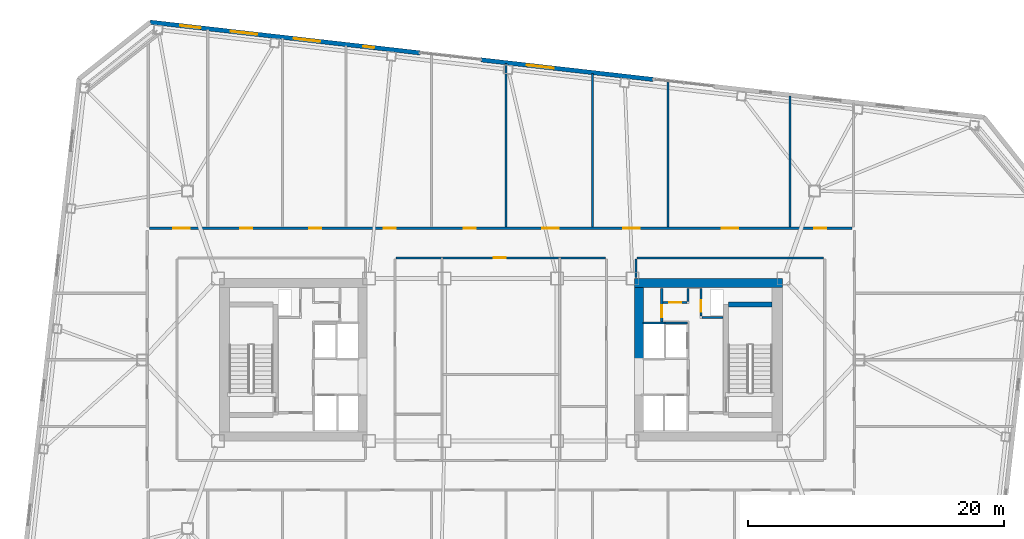
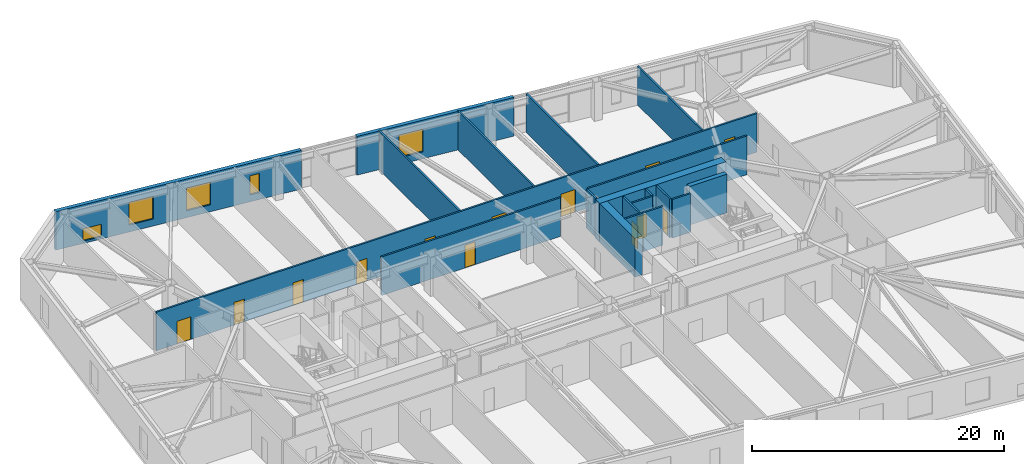
# One storey, part 14 of 21: 20 walls, 13 doors, 5 windows, 18 openings.
"""IFC4 building model written with IfcOpenShell, lengths in metres."""

import ifcopenshell
import ifcopenshell.guid

model = None  # the IFC model being written
_history = None  # IfcOwnerHistory: only IFC2X3 demands one
_inside = {}  # id of a spatial element -> (the spatial element, [elements in it])
_under = {}  # id of a project, library or spatial element -> (it, [spatial elements below it])
_declared = {}  # id of a project -> (the project, [libraries it declares])
_typed = {}  # id of a type object -> (the type object, [elements of that type])
_made_of = {}  # id of a material, layer set ... -> (it, [elements and type objects made of it])


def new_model(schema):
    """Start an empty IFC model of exactly this schema.

    Asked for "IFC4X3", IfcOpenShell would pick the latest addendum, in which some entities
    have other attributes; the version numbers below select the first issue.
    IFC2X3 requires an IfcOwnerHistory on every rooted entity: one is made here for all.
    """
    global model, _history
    if schema == "IFC4X3":
        model = ifcopenshell.file(schema_version=(4, 3, 0, 0))
    else:
        model = ifcopenshell.file(schema=schema)
    _inside.clear()
    _under.clear()
    _declared.clear()
    _typed.clear()
    _made_of.clear()
    _history = None
    if model.schema == "IFC2X3":
        org = make("IfcOrganization", Name="unknown")
        user = make(
            "IfcPersonAndOrganization",
            ThePerson=make("IfcPerson", FamilyName="unknown"),
            TheOrganization=org,
        )
        app = make(
            "IfcApplication",
            ApplicationDeveloper=org,
            Version="unknown",
            ApplicationFullName="unknown",
            ApplicationIdentifier="unknown",
        )
        _history = make(
            "IfcOwnerHistory",
            OwningUser=user,
            OwningApplication=app,
            ChangeAction="ADDED",
            CreationDate=0,
        )
    return model


def make(cls, **values):
    """One entity of the class cls with the attributes given. An attribute that is None is left unset."""
    return model.create_entity(
        cls, **{name: value for name, value in values.items() if value is not None}
    )


def rooted(cls, **values):
    """An entity with a GlobalId (a new one), such as an element, a storey or a relation."""
    return make(cls, GlobalId=ifcopenshell.guid.new(), OwnerHistory=_history, **values)


def si_unit(unit_type, name, prefix=None):
    """IfcSIUnit, for example si_unit("LENGTHUNIT", "METRE", prefix="MILLI")."""
    return make("IfcSIUnit", UnitType=unit_type, Prefix=prefix, Name=name)


def assignment(units):
    """IfcUnitAssignment: the units of a project."""
    return None if units is None else make("IfcUnitAssignment", Units=units)


def point(xyz):
    """IfcCartesianPoint."""
    return None if xyz is None else make("IfcCartesianPoint", Coordinates=xyz)


def direction(xyz):
    """IfcDirection."""
    return None if xyz is None else make("IfcDirection", DirectionRatios=xyz)


def frame(location, z_axis=None, x_axis=None):
    """IfcAxis2Placement3D, a coordinate frame: its origin and axes. An axis left out is left unset."""
    return make(
        "IfcAxis2Placement3D",
        Location=point(location),
        Axis=direction(z_axis),
        RefDirection=direction(x_axis),
    )


def frame_2d(location, x_axis=None):
    """IfcAxis2Placement2D, a coordinate frame in the plane: its origin and x axis."""
    return make(
        "IfcAxis2Placement2D", Location=point(location), RefDirection=direction(x_axis)
    )


def origin():
    """The frame at (0, 0, 0) with its axes left unset."""
    return frame((0.0, 0.0, 0.0))


def place(relative_to, where):
    """IfcLocalPlacement: puts the frame where relative to a parent placement (None: the world)."""
    return make(
        "IfcLocalPlacement", PlacementRelTo=relative_to, RelativePlacement=where
    )


def context(
    kind, dimensions, precision=None, world=None, true_north=None, identifier=None
):
    """IfcGeometricRepresentationContext, for example the 3D "Model" context."""
    return make(
        "IfcGeometricRepresentationContext",
        ContextIdentifier=identifier,
        ContextType=kind,
        CoordinateSpaceDimension=dimensions,
        Precision=precision,
        WorldCoordinateSystem=world,
        TrueNorth=true_north,
    )


def subcontext(parent, identifier, kind, view, scale=None):
    """IfcGeometricRepresentationSubContext, for example "Body" below "Model"."""
    return make(
        "IfcGeometricRepresentationSubContext",
        ContextIdentifier=identifier,
        ContextType=kind,
        ParentContext=parent,
        TargetScale=scale,
        TargetView=view,
    )


def project(units=None, contexts=None):
    """IfcProject with its units and contexts."""
    return rooted(
        "IfcProject",
        Name="project",
        RepresentationContexts=contexts,
        UnitsInContext=assignment(units),
    )


def spatial(cls, under=None, at=None, **own):
    """A site, building, storey or space (cls), placed at a placement, below another one or the project."""
    s = rooted(cls, ObjectPlacement=at, **own)
    if under is not None:
        _under.setdefault(under.id(), (under, []))[1].append(s)
    return s


def profile(cls, at=None, kind="AREA", **sizes):
    """A parametric profile (cls). Its sizes go by their IFC names, for example OverallWidth=200.0."""
    return make(cls, ProfileType=kind, Position=at, **sizes)


def rectangle(**sizes):
    """IfcRectangleProfileDef."""
    return profile("IfcRectangleProfileDef", **sizes)


def extrude(swept, where, along, depth):
    """IfcExtrudedAreaSolid: the profile swept, set in the frame where, extruded along a direction by depth."""
    return make(
        "IfcExtrudedAreaSolid",
        SweptArea=swept,
        Position=where,
        ExtrudedDirection=direction(along),
        Depth=depth,
    )


def shape(context_of_items, identifier, shape_type, items):
    """IfcShapeRepresentation: the items that make up one representation, for example the "Body"."""
    return make(
        "IfcShapeRepresentation",
        ContextOfItems=context_of_items,
        RepresentationIdentifier=identifier,
        RepresentationType=shape_type,
        Items=items,
    )


def material(Name=None, Category=None):
    """IfcMaterial."""
    return make("IfcMaterial", Name=Name, Category=Category)


def layer(
    of_material, thickness, ventilated=None, Name=None, Category=None, Priority=None
):
    """IfcMaterialLayer: one layer of a wall or slab, of a material (None: an air gap)."""
    return make(
        "IfcMaterialLayer",
        Material=of_material,
        LayerThickness=thickness,
        IsVentilated=ventilated,
        Name=Name,
        Category=Category,
        Priority=Priority,
    )


def layer_set(layers, Name=None):
    """IfcMaterialLayerSet."""
    return make("IfcMaterialLayerSet", MaterialLayers=layers, LayerSetName=Name)


def made_of(thing, what):
    """Note that an element or type object is made of a material, layer set ...; save() writes the relation."""
    if what is not None:
        _made_of.setdefault(what.id(), (what, []))[1].append(thing)
    return thing


def type_object(cls, material=None, **own):
    """A type object (cls), such as IfcWallType, which elements share."""
    return made_of(rooted(cls, **own), material)


def element(
    cls,
    number,
    at=None,
    inside=None,
    cuts=None,
    type_object=None,
    material=None,
    context=None,
    identifier="Body",
    shape_type=None,
    held_by="IfcProductDefinitionShape",
    body=None,
    shapes=None,
    **own,
):
    """One element of the class cls, such as IfcWall. Its Tag is "e" and its number.

    at: its placement. inside: the storey or other place that contains it. cuts: it is an
    opening in that element (IfcRelVoidsElement). A single representation is given by context,
    identifier, shape_type and body (its items); several are given by shapes. held_by: the class
    of the entity that holds the representations. save() writes the other relations.
    """
    e = rooted(cls, Tag="e%d" % number, ObjectPlacement=at, **own)
    if body is not None:
        shapes = [shape(context, identifier, shape_type, body)]
    if shapes is not None:
        e.Representation = make(held_by, Representations=shapes)
    if inside is not None:
        _inside.setdefault(inside.id(), (inside, []))[1].append(e)
    if cuts is not None:
        rooted(
            "IfcRelVoidsElement", RelatingBuildingElement=cuts, RelatedOpeningElement=e
        )
    if type_object is not None:
        _typed.setdefault(type_object.id(), (type_object, []))[1].append(e)
    return made_of(e, material)


def fill(opening, filler):
    """IfcRelFillsElement: the door or window that sits in an opening."""
    return rooted(
        "IfcRelFillsElement",
        RelatingOpeningElement=opening,
        RelatedBuildingElement=filler,
    )


def aggregate(whole, parts):
    """IfcRelAggregates: a whole, such as a stair, and the parts it consists of."""
    return rooted("IfcRelAggregates", RelatingObject=whole, RelatedObjects=parts)


def save(model, path):
    """Write the relations noted so far, then the file.

    IfcRelAggregates (storeys below a building ...), IfcRelContainedInSpatialStructure (elements
    in a storey), IfcRelDefinesByType, IfcRelAssociatesMaterial and IfcRelDeclares: one each for
    every whole, place, type object, material and project.
    """
    for whole, parts in _under.values():
        aggregate(whole, parts)
    for where, things in _inside.values():
        rooted(
            "IfcRelContainedInSpatialStructure",
            RelatedElements=things,
            RelatingStructure=where,
        )
    for kind, things in _typed.values():
        rooted("IfcRelDefinesByType", RelatedObjects=things, RelatingType=kind)
    for what, things in _made_of.values():
        rooted("IfcRelAssociatesMaterial", RelatedObjects=things, RelatingMaterial=what)
    for by, libraries in _declared.values():
        rooted("IfcRelDeclares", RelatingContext=by, RelatedDefinitions=libraries)
    model.write(path)


model = new_model("IFC4")

# Units and contexts
model_context = context("Model", 3, precision=1e-05, world=origin(), true_north=direction((0.0, 1.0)))
body_context = subcontext(model_context, "Body", "Model", "MODEL_VIEW")
ifc_project = project(units=[si_unit("LENGTHUNIT", "METRE"), si_unit("AREAUNIT", "SQUARE_METRE"), si_unit("VOLUMEUNIT", "CUBIC_METRE"), si_unit("PLANEANGLEUNIT", "RADIAN"), si_unit("MASSUNIT", "GRAM", prefix="KILO")], contexts=[model_context])

# Site, building, storey
site_placement = place(None, origin())
site = spatial("IfcSite", under=ifc_project, at=site_placement, CompositionType="ELEMENT")
building_placement = place(site_placement, origin())
building = spatial("IfcBuilding", under=site, at=building_placement, Name="Tavrogorsk Clinical Tower", CompositionType="ELEMENT")
storey_placement = place(building_placement, frame((0.0, 0.0, 133.39990234375)))
storey = spatial("IfcBuildingStorey", under=building, at=storey_placement, Name="L30", CompositionType="ELEMENT", Elevation=133.39990234375)

# Wall, opening, door
ifc_material_1 = material(Name="Lightweight concrete blockwork B15", Category="masonry")
ifc_layer_1 = layer(ifc_material_1, 0.159912109375)
ifc_layer_set_1 = layer_set([ifc_layer_1], Name="Lightweight concrete blockwork B15")
wall_type_1 = type_object("IfcWallType", Name="PartitionWall_160", PredefinedType="PARTITIONING", material=ifc_layer_set_1)
wall_1_placement = place(storey_placement, frame((12.580078125, 2.9599609375, 0.0), z_axis=(0.0, 0.0, 1.0), x_axis=(0.0, 1.0, 0.0)))
wall_1 = element("IfcWall", 1, at=wall_1_placement, inside=storey, type_object=wall_type_1, Name="L30 Core East Linen Closet Wall", PredefinedType="PARTITIONING", context=body_context, shape_type="SweptSolid", body=[
    extrude(rectangle(XDim=2.60009765625, YDim=0.159912109375, at=frame_2d((1.300048828125, 0.0))), origin(), (0.0, 0.0, 1.0), 3.739990234375),
])
opening_1_placement = place(wall_1_placement, frame((0.35009765625, 0.0, 0.0)))
opening_1 = element("IfcOpeningElement", 2, at=opening_1_placement, cuts=wall_1, Name="Opening ID-02", PredefinedType="OPENING", context=body_context, shape_type="SweptSolid", body=[
    extrude(rectangle(XDim=0.949951171875, YDim=2.199951171875, at=frame_2d((0.47509765625, 1.10009765625))), frame((0.0, 0.08984375, 0.0), z_axis=(0.0, -1.0, 0.0), x_axis=(1.0, 0.0, 0.0)), (0.0, 0.0, 1.0), 0.179931640625),
])
ifc_material_2 = material(Name="Laminated timber leaf on aluminium frame", Category="wood")
door_type_1 = type_object("IfcDoorType", Name="InteriorDoor_ID02_950", OperationType="NOTDEFINED", PredefinedType="DOOR", material=ifc_material_2)
door_1_placement = place(opening_1_placement, origin())
door_1 = element("IfcDoor", 3, at=door_1_placement, inside=storey, type_object=door_type_1, Name="L30 Core East Linen Closet Door", OperationType="SINGLE_SWING_RIGHT", OverallHeight=2.199951171875, OverallWidth=0.949951171875, PredefinedType="DOOR", context=body_context, shape_type="SweptSolid", body=[
    extrude(rectangle(XDim=0.949951171875, YDim=2.199951171875, at=frame_2d((0.47509765625, 1.10009765625))), frame((0.0, 0.02490234375, 0.0), z_axis=(0.0, -1.0, 0.0), x_axis=(1.0, 0.0, 0.0)), (0.0, 0.0, 1.0), 0.050048828125),
])
fill(opening_1, door_1)

wall_2_placement = place(storey_placement, frame((12.6650390625, 4.47998046875, 0.0), z_axis=(0.0, 0.0, 1.0), x_axis=(1.0, 0.0, 0.0)))
wall_2 = element("IfcWall", 4, at=wall_2_placement, inside=storey, type_object=wall_type_1, Name="L30 Core East Housekeeping South Wall", PredefinedType="PARTITIONING", context=body_context, shape_type="SweptSolid", body=[
    extrude(rectangle(XDim=1.889892578125, YDim=0.159912109375, at=frame_2d((0.94482421875, 0.0))), origin(), (0.0, 0.0, 1.0), 3.739990234375),
])
opening_2_placement = place(wall_2_placement, frame((0.5, 0.0, 0.0)))
opening_2 = element("IfcOpeningElement", 5, at=opening_2_placement, cuts=wall_2, Name="Opening ID-02", PredefinedType="OPENING", context=body_context, shape_type="SweptSolid", body=[
    extrude(rectangle(XDim=0.949951171875, YDim=2.199951171875, at=frame_2d((0.47509765625, 1.10009765625))), frame((0.0, 0.08984375, 0.0), z_axis=(0.0, -1.0, 0.0), x_axis=(1.0, 0.0, 0.0)), (0.0, 0.0, 1.0), 0.179931640625),
])
door_2_placement = place(opening_2_placement, origin())
door_2 = element("IfcDoor", 6, at=door_2_placement, inside=storey, type_object=door_type_1, Name="L30 Core East Housekeeping Closet Door", OperationType="SINGLE_SWING_LEFT", OverallHeight=2.199951171875, OverallWidth=0.949951171875, PredefinedType="DOOR", context=body_context, shape_type="SweptSolid", body=[
    extrude(rectangle(XDim=0.949951171875, YDim=2.199951171875, at=frame_2d((0.47509765625, 1.10009765625))), frame((0.0, 0.02490234375, 0.0), z_axis=(0.0, -1.0, 0.0), x_axis=(1.0, 0.0, 0.0)), (0.0, 0.0, 1.0), 0.050048828125),
])
fill(opening_2, door_2)

# Wall
wall_3_placement = place(storey_placement, frame((14.639892578125, 4.56494140625, 0.0), z_axis=(0.0, 0.0, 1.0), x_axis=(0.0, 1.0, 0.0)))
element("IfcWall", 7, at=wall_3_placement, inside=storey, type_object=wall_type_1, Name="L30 Core East Housekeeping East Wall", PredefinedType="PARTITIONING", context=body_context, shape_type="SweptSolid", body=[
    extrude(rectangle(XDim=0.9951171875, YDim=0.159912109375, at=frame_2d((0.49755859375, 0.0))), origin(), (0.0, 0.0, 1.0), 3.739990234375),
])

# Wall, openings, doors
wall_4_placement = place(storey_placement, frame((-27.465087890625, 10.280029296875, 0.0), z_axis=(0.0, 0.0, 1.0), x_axis=(1.0, 0.0, 0.0)))
wall_4 = element("IfcWall", 8, at=wall_4_placement, inside=storey, type_object=wall_type_1, Name="L30 Corridor Partition 02", PredefinedType="PARTITIONING", context=body_context, shape_type="SweptSolid", body=[
    extrude(rectangle(XDim=54.93017578125, YDim=0.159912109375, at=frame_2d((27.465087890625, 0.0))), origin(), (0.0, 0.0, 1.0), 3.739990234375),
])
opening_3_placement = place(wall_4_placement, frame((1.869140625, 0.0, 0.0)))
opening_3 = element("IfcOpeningElement", 9, at=opening_3_placement, cuts=wall_4, Name="Opening ID-01", PredefinedType="OPENING", context=body_context, shape_type="SweptSolid", body=[
    extrude(rectangle(XDim=1.300048828125, YDim=2.199951171875, at=frame_2d((0.64990234375, 1.10009765625))), frame((0.0, 0.08984375, 0.0), z_axis=(0.0, -1.0, 0.0), x_axis=(1.0, 0.0, 0.0)), (0.0, 0.0, 1.0), 0.179931640625),
])
opening_4_placement = place(wall_4_placement, frame((7.10009765625, 0.0, 0.0)))
opening_4 = element("IfcOpeningElement", 10, at=opening_4_placement, cuts=wall_4, Name="Opening ID-02", PredefinedType="OPENING", context=body_context, shape_type="SweptSolid", body=[
    extrude(rectangle(XDim=0.949951171875, YDim=2.199951171875, at=frame_2d((0.47509765625, 1.10009765625))), frame((0.0, 0.08984375, 0.0), z_axis=(0.0, -1.0, 0.0), x_axis=(1.0, 0.0, 0.0)), (0.0, 0.0, 1.0), 0.179931640625),
])
opening_5_placement = place(wall_4_placement, frame((12.5, 0.0, 0.0)))
opening_5 = element("IfcOpeningElement", 11, at=opening_5_placement, cuts=wall_4, Name="Opening ID-02", PredefinedType="OPENING", context=body_context, shape_type="SweptSolid", body=[
    extrude(rectangle(XDim=0.949951171875, YDim=2.199951171875, at=frame_2d((0.47509765625, 1.10009765625))), frame((0.0, 0.08984375, 0.0), z_axis=(0.0, -1.0, 0.0), x_axis=(1.0, 0.0, 0.0)), (0.0, 0.0, 1.0), 0.179931640625),
])
opening_6_placement = place(wall_4_placement, frame((18.324951171875, 0.0, 0.0)))
opening_6 = element("IfcOpeningElement", 12, at=opening_6_placement, cuts=wall_4, Name="Opening ID-02", PredefinedType="OPENING", context=body_context, shape_type="SweptSolid", body=[
    extrude(rectangle(XDim=0.949951171875, YDim=2.199951171875, at=frame_2d((0.47509765625, 1.10009765625))), frame((0.0, 0.08984375, 0.0), z_axis=(0.0, -1.0, 0.0), x_axis=(1.0, 0.0, 0.0)), (0.0, 0.0, 1.0), 0.179931640625),
])
opening_7_placement = place(wall_4_placement, frame((24.574951171875, 0.0, 0.0)))
opening_7 = element("IfcOpeningElement", 13, at=opening_7_placement, cuts=wall_4, Name="Opening ID-02", PredefinedType="OPENING", context=body_context, shape_type="SweptSolid", body=[
    extrude(rectangle(XDim=0.949951171875, YDim=2.199951171875, at=frame_2d((0.47509765625, 1.10009765625))), frame((0.0, 0.08984375, 0.0), z_axis=(0.0, -1.0, 0.0), x_axis=(1.0, 0.0, 0.0)), (0.0, 0.0, 1.0), 0.179931640625),
])
opening_8_placement = place(wall_4_placement, frame((30.68994140625, 0.0, 0.0)))
opening_8 = element("IfcOpeningElement", 14, at=opening_8_placement, cuts=wall_4, Name="Opening ID-01", PredefinedType="OPENING", context=body_context, shape_type="SweptSolid", body=[
    extrude(rectangle(XDim=1.300048828125, YDim=2.199951171875, at=frame_2d((0.64990234375, 1.10009765625))), frame((0.0, 0.08984375, 0.0), z_axis=(0.0, -1.0, 0.0), x_axis=(1.0, 0.0, 0.0)), (0.0, 0.0, 1.0), 0.179931640625),
])
opening_9_placement = place(wall_4_placement, frame((37.02001953125, 0.0, 0.0)))
opening_9 = element("IfcOpeningElement", 15, at=opening_9_placement, cuts=wall_4, Name="Opening ID-01", PredefinedType="OPENING", context=body_context, shape_type="SweptSolid", body=[
    extrude(rectangle(XDim=1.300048828125, YDim=2.199951171875, at=frame_2d((0.64990234375, 1.10009765625))), frame((0.0, 0.08984375, 0.0), z_axis=(0.0, -1.0, 0.0), x_axis=(1.0, 0.0, 0.0)), (0.0, 0.0, 1.0), 0.179931640625),
])
opening_10_placement = place(wall_4_placement, frame((44.72998046875, 0.0, 0.0)))
opening_10 = element("IfcOpeningElement", 16, at=opening_10_placement, cuts=wall_4, Name="Opening ID-01", PredefinedType="OPENING", context=body_context, shape_type="SweptSolid", body=[
    extrude(rectangle(XDim=1.300048828125, YDim=2.199951171875, at=frame_2d((0.64990234375, 1.10009765625))), frame((0.0, 0.08984375, 0.0), z_axis=(0.0, -1.0, 0.0), x_axis=(1.0, 0.0, 0.0)), (0.0, 0.0, 1.0), 0.179931640625),
])
opening_11_placement = place(wall_4_placement, frame((51.955810546875, 0.0, 0.0)))
opening_11 = element("IfcOpeningElement", 17, at=opening_11_placement, cuts=wall_4, Name="Opening ID-02", PredefinedType="OPENING", context=body_context, shape_type="SweptSolid", body=[
    extrude(rectangle(XDim=0.949951171875, YDim=2.199951171875, at=frame_2d((0.47509765625, 1.10009765625))), frame((0.0, 0.08984375, 0.0), z_axis=(0.0, -1.0, 0.0), x_axis=(1.0, 0.0, 0.0)), (0.0, 0.0, 1.0), 0.179931640625),
])
door_3_placement = place(opening_4_placement, origin())
door_3 = element("IfcDoor", 18, at=door_3_placement, inside=storey, type_object=door_type_1, Name="L30 North Physician Consultation Office 02A Door", OperationType="SINGLE_SWING_RIGHT", OverallHeight=2.199951171875, OverallWidth=0.949951171875, PredefinedType="DOOR", context=body_context, shape_type="SweptSolid", body=[
    extrude(rectangle(XDim=0.949951171875, YDim=2.199951171875, at=frame_2d((0.47509765625, 1.10009765625))), frame((0.0, 0.02490234375, 0.0), z_axis=(0.0, -1.0, 0.0), x_axis=(1.0, 0.0, 0.0)), (0.0, 0.0, 1.0), 0.050048828125),
])
fill(opening_4, door_3)
door_4_placement = place(opening_5_placement, origin())
door_4 = element("IfcDoor", 19, at=door_4_placement, inside=storey, type_object=door_type_1, Name="L30 North Diagnostic Ultrasound Suite 02B Door", OperationType="SINGLE_SWING_LEFT", OverallHeight=2.199951171875, OverallWidth=0.949951171875, PredefinedType="DOOR", context=body_context, shape_type="SweptSolid", body=[
    extrude(rectangle(XDim=0.949951171875, YDim=2.199951171875, at=frame_2d((0.47509765625, 1.10009765625))), frame((0.0, 0.02490234375, 0.0), z_axis=(0.0, -1.0, 0.0), x_axis=(1.0, 0.0, 0.0)), (0.0, 0.0, 1.0), 0.050048828125),
])
fill(opening_5, door_4)
door_5_placement = place(opening_6_placement, origin())
door_5 = element("IfcDoor", 20, at=door_5_placement, inside=storey, type_object=door_type_1, Name="L30 North Patient & Family Quiet Lounge 03A Door", OperationType="SINGLE_SWING_RIGHT", OverallHeight=2.199951171875, OverallWidth=0.949951171875, PredefinedType="DOOR", context=body_context, shape_type="SweptSolid", body=[
    extrude(rectangle(XDim=0.949951171875, YDim=2.199951171875, at=frame_2d((0.47509765625, 1.10009765625))), frame((0.0, 0.02490234375, 0.0), z_axis=(0.0, -1.0, 0.0), x_axis=(1.0, 0.0, 0.0)), (0.0, 0.0, 1.0), 0.050048828125),
])
fill(opening_6, door_5)
door_6_placement = place(opening_7_placement, origin())
door_6 = element("IfcDoor", 21, at=door_6_placement, inside=storey, type_object=door_type_1, Name="L30 North Physiotherapy Rehab Studio 03B Door", OperationType="SINGLE_SWING_LEFT", OverallHeight=2.199951171875, OverallWidth=0.949951171875, PredefinedType="DOOR", context=body_context, shape_type="SweptSolid", body=[
    extrude(rectangle(XDim=0.949951171875, YDim=2.199951171875, at=frame_2d((0.47509765625, 1.10009765625))), frame((0.0, 0.02490234375, 0.0), z_axis=(0.0, -1.0, 0.0), x_axis=(1.0, 0.0, 0.0)), (0.0, 0.0, 1.0), 0.050048828125),
])
fill(opening_7, door_6)
door_7_placement = place(opening_11_placement, origin())
door_7 = element("IfcDoor", 22, at=door_7_placement, inside=storey, type_object=door_type_1, Name="L30 North Multidisciplinary Case Room 06 Door", OperationType="SINGLE_SWING_LEFT", OverallHeight=2.199951171875, OverallWidth=0.949951171875, PredefinedType="DOOR", context=body_context, shape_type="SweptSolid", body=[
    extrude(rectangle(XDim=0.949951171875, YDim=2.199951171875, at=frame_2d((0.47509765625, 1.10009765625))), frame((0.0, 0.02490234375, 0.0), z_axis=(0.0, -1.0, 0.0), x_axis=(1.0, 0.0, 0.0)), (0.0, 0.0, 1.0), 0.050048828125),
])
fill(opening_11, door_7)
ifc_material_3 = material(Name="Antibacterial HPL medical leaf on aluminium frame", Category="aluminium")
door_type_2 = type_object("IfcDoorType", Name="WardBedDoor_ID01_1300", OperationType="NOTDEFINED", PredefinedType="DOOR", material=ifc_material_3)
door_8_placement = place(opening_3_placement, origin())
door_8 = element("IfcDoor", 23, at=door_8_placement, inside=storey, type_object=door_type_2, Name="L30 North Step-Down Telemetry Ward 01 Door", OperationType="SINGLE_SWING_LEFT", OverallHeight=2.199951171875, OverallWidth=1.300048828125, PredefinedType="DOOR", context=body_context, shape_type="SweptSolid", body=[
    extrude(rectangle(XDim=1.300048828125, YDim=2.199951171875, at=frame_2d((0.64990234375, 1.10009765625))), frame((0.0, 0.02490234375, 0.0), z_axis=(0.0, -1.0, 0.0), x_axis=(1.0, 0.0, 0.0)), (0.0, 0.0, 1.0), 0.050048828125),
])
fill(opening_3, door_8)
door_9_placement = place(opening_8_placement, origin())
door_9 = element("IfcDoor", 24, at=door_9_placement, inside=storey, type_object=door_type_2, Name="L30 North Acute Isolation Suite 04A Door", OperationType="SINGLE_SWING_RIGHT", OverallHeight=2.199951171875, OverallWidth=1.300048828125, PredefinedType="DOOR", context=body_context, shape_type="SweptSolid", body=[
    extrude(rectangle(XDim=1.300048828125, YDim=2.199951171875, at=frame_2d((0.64990234375, 1.10009765625))), frame((0.0, 0.02490234375, 0.0), z_axis=(0.0, -1.0, 0.0), x_axis=(1.0, 0.0, 0.0)), (0.0, 0.0, 1.0), 0.050048828125),
])
fill(opening_8, door_9)
door_10_placement = place(opening_9_placement, origin())
door_10 = element("IfcDoor", 25, at=door_10_placement, inside=storey, type_object=door_type_2, Name="L30 North Step-Down Telemetry Ward 04B Door", OperationType="SINGLE_SWING_LEFT", OverallHeight=2.199951171875, OverallWidth=1.300048828125, PredefinedType="DOOR", context=body_context, shape_type="SweptSolid", body=[
    extrude(rectangle(XDim=1.300048828125, YDim=2.199951171875, at=frame_2d((0.64990234375, 1.10009765625))), frame((0.0, 0.02490234375, 0.0), z_axis=(0.0, -1.0, 0.0), x_axis=(1.0, 0.0, 0.0)), (0.0, 0.0, 1.0), 0.050048828125),
])
fill(opening_9, door_10)
door_11_placement = place(opening_10_placement, origin())
door_11 = element("IfcDoor", 26, at=door_11_placement, inside=storey, type_object=door_type_2, Name="L30 North Sub-Acute Recovery Ward 05 Door", OperationType="SINGLE_SWING_RIGHT", OverallHeight=2.199951171875, OverallWidth=1.300048828125, PredefinedType="DOOR", context=body_context, shape_type="SweptSolid", body=[
    extrude(rectangle(XDim=1.300048828125, YDim=2.199951171875, at=frame_2d((0.64990234375, 1.10009765625))), frame((0.0, 0.02490234375, 0.0), z_axis=(0.0, -1.0, 0.0), x_axis=(1.0, 0.0, 0.0)), (0.0, 0.0, 1.0), 0.050048828125),
])
fill(opening_10, door_11)

# Walls
wall_5_placement = place(storey_placement, frame((25.235107421875, 7.969970703125, 0.0), z_axis=(0.0, 0.0, 1.0), x_axis=(-1.0, 0.0, 0.0)))
element("IfcWall", 27, at=wall_5_placement, inside=storey, type_object=wall_type_1, Name="L30 Corridor Partition 05", PredefinedType="PARTITIONING", context=body_context, shape_type="SweptSolid", body=[
    extrude(rectangle(XDim=14.570068359375, YDim=0.159912109375, at=frame_2d((7.28515625, 0.0))), origin(), (0.0, 0.0, 1.0), 3.739990234375),
])
wall_6_placement = place(storey_placement, frame((10.580078125, 7.885009765625, 0.0), z_axis=(0.0, 0.0, 1.0), x_axis=(0.0, -1.0, 0.0)))
element("IfcWall", 28, at=wall_6_placement, inside=storey, type_object=wall_type_1, Name="L30 Corridor Partition 06", PredefinedType="PARTITIONING", context=body_context, shape_type="SweptSolid", body=[
    extrude(rectangle(XDim=1.465087890625, YDim=0.159912109375, at=frame_2d((0.732421875, 0.0))), origin(), (0.0, 0.0, 1.0), 3.739990234375),
])

# Wall, opening, door
wall_7_placement = place(storey_placement, frame((8.18505859375, 7.969970703125, 0.0), z_axis=(0.0, 0.0, 1.0), x_axis=(-1.0, 0.0, 0.0)))
wall_7 = element("IfcWall", 29, at=wall_7_placement, inside=storey, type_object=wall_type_1, Name="L30 Corridor Partition 11", PredefinedType="PARTITIONING", context=body_context, shape_type="SweptSolid", body=[
    extrude(rectangle(XDim=16.3701171875, YDim=0.159912109375, at=frame_2d((8.18505859375, 0.0))), origin(), (0.0, 0.0, 1.0), 3.739990234375),
])
opening_12_placement = place(wall_7_placement, frame((7.794921875, 0.0, 0.0)))
opening_12 = element("IfcOpeningElement", 30, at=opening_12_placement, cuts=wall_7, Name="Opening ID-02", PredefinedType="OPENING", context=body_context, shape_type="SweptSolid", body=[
    extrude(rectangle(XDim=0.949951171875, YDim=2.199951171875, at=frame_2d((0.47509765625, 1.10009765625))), frame((0.0, 0.08984375, 0.0), z_axis=(0.0, -1.0, 0.0), x_axis=(1.0, 0.0, 0.0)), (0.0, 0.0, 1.0), 0.179931640625),
])
door_12_placement = place(opening_12_placement, origin())
door_12 = element("IfcDoor", 31, at=door_12_placement, inside=storey, type_object=door_type_1, Name="L30 Nurses' Station & Triage Hub Door", OperationType="SINGLE_SWING_LEFT", OverallHeight=2.199951171875, OverallWidth=0.949951171875, PredefinedType="DOOR", context=body_context, shape_type="SweptSolid", body=[
    extrude(rectangle(XDim=0.949951171875, YDim=2.199951171875, at=frame_2d((0.47509765625, 1.10009765625))), frame((0.0, 0.02490234375, 0.0), z_axis=(0.0, -1.0, 0.0), x_axis=(1.0, 0.0, 0.0)), (0.0, 0.0, 1.0), 0.050048828125),
])
fill(opening_12, door_12)

# Walls
wall_8_placement = place(storey_placement, frame((0.39990234375, 10.364990234375, 0.0), z_axis=(0.0, 0.0, 1.0), x_axis=(0.0, 1.0, 0.0)))
element("IfcWall", 32, at=wall_8_placement, inside=storey, type_object=wall_type_1, Name="L30 North Room Partition 3", PredefinedType="PARTITIONING", context=body_context, shape_type="SweptSolid", body=[
    extrude(rectangle(XDim=12.78173828125, YDim=0.159912109375, at=frame_2d((6.390869140625, 0.0))), origin(), (0.0, 0.0, 1.0), 3.739990234375),
])
wall_9_placement = place(storey_placement, frame((13.06005859375, 10.364990234375, 0.0), z_axis=(0.0, 0.0, 1.0), x_axis=(0.0, 1.0, 0.0)))
element("IfcWall", 33, at=wall_9_placement, inside=storey, type_object=wall_type_1, Name="L30 North Room Partition 4", PredefinedType="PARTITIONING", context=body_context, shape_type="SweptSolid", body=[
    extrude(rectangle(XDim=11.33935546875, YDim=0.159912109375, at=frame_2d((5.669677734375, 0.0))), origin(), (0.0, 0.0, 1.0), 3.739990234375),
])
wall_10_placement = place(storey_placement, frame((22.60009765625, 10.364990234375, 0.0), z_axis=(0.0, 0.0, 1.0), x_axis=(0.0, 1.0, 0.0)))
element("IfcWall", 34, at=wall_10_placement, inside=storey, type_object=wall_type_1, Name="L30 North Room Partition 5", PredefinedType="PARTITIONING", context=body_context, shape_type="SweptSolid", body=[
    extrude(rectangle(XDim=10.25244140625, YDim=0.159912109375, at=frame_2d((5.126220703125, 0.0))), origin(), (0.0, 0.0, 1.0), 3.739990234375),
])
wall_11_placement = place(storey_placement, frame((7.179931640625, 10.364990234375, 0.0), z_axis=(0.0, 0.0, 1.0), x_axis=(0.0, 1.0, 0.0)))
element("IfcWall", 35, at=wall_11_placement, inside=storey, type_object=wall_type_1, Name="L30 North Sub-Partition 4", PredefinedType="PARTITIONING", context=body_context, shape_type="SweptSolid", body=[
    extrude(rectangle(XDim=12.00927734375, YDim=0.159912109375, at=frame_2d((6.004638671875, 0.0))), origin(), (0.0, 0.0, 1.0), 3.739990234375),
])

# Wall, opening, window
ifc_material_4 = material(Name="Precast concrete B45 with limestone cladding", Category="masonry")
ifc_layer_2 = layer(ifc_material_4, 0.340087890625)
ifc_layer_set_2 = layer_set([ifc_layer_2], Name="Precast concrete B45 with limestone cladding")
wall_type_2 = type_object("IfcWallType", Name="PrecastLimestoneWall_340", PredefinedType="STANDARD", material=ifc_layer_set_2)
wall_12_placement = place(storey_placement, frame((11.921875, 21.904541015625, 0.0), z_axis=(0.0, 0.0, 1.0), x_axis=(-0.993571685551, 0.11320470693, 0.0)))
wall_12 = element("IfcWall", 36, at=wall_12_placement, inside=storey, type_object=wall_type_2, Name="L30 N Limestone Facade Wall 2", PredefinedType="STANDARD", context=body_context, shape_type="SweptSolid", body=[
    extrude(rectangle(XDim=13.554443359375, YDim=0.340087890625, at=frame_2d((6.77734375, 0.0))), origin(), (0.0, 0.0, 1.0), 3.739990234375),
])
opening_13_placement = place(wall_12_placement, frame((7.837890625, 0.0, 0.669921875)))
opening_13 = element("IfcOpeningElement", 37, at=opening_13_placement, cuts=wall_12, Name="Opening WN-03", PredefinedType="OPENING", context=body_context, shape_type="SweptSolid", body=[
    extrude(rectangle(XDim=2.10009765625, YDim=2.199951171875, at=frame_2d((1.050048828125, 1.10009765625))), frame((0.0, 0.179931640625, 0.0), z_axis=(0.0, -1.0, 0.0), x_axis=(1.0, 0.0, 0.0)), (0.0, 0.0, 1.0), 0.360107421875),
])
ifc_material_5 = material(Name="Thermally broken aluminium frame and triple IGU", Category="aluminium")
window_type_1 = type_object("IfcWindowType", Name="PatientTwinWin_2100x2200", PartitioningType="DOUBLE_PANEL_VERTICAL", PredefinedType="WINDOW", material=ifc_material_5)
window_1_placement = place(opening_13_placement, origin())
window_1 = element("IfcWindow", 38, at=window_1_placement, inside=storey, type_object=window_type_1, Name="L30 N Chicago Window 05", OverallHeight=2.199951171875, OverallWidth=2.10009765625, PartitioningType="SINGLE_PANEL", PredefinedType="WINDOW", context=body_context, shape_type="SweptSolid", body=[
    extrude(rectangle(XDim=2.10009765625, YDim=2.199951171875, at=frame_2d((1.050048828125, 1.10009765625))), frame((0.0, 0.030029296875, 0.0), z_axis=(0.0, -1.0, 0.0), x_axis=(1.0, 0.0, 0.0)), (0.0, 0.0, 1.0), 0.06005859375),
])
fill(opening_13, window_1)

# Wall, openings, windows
wall_13_placement = place(storey_placement, frame((-6.314453125, 23.982177734375, 0.0), z_axis=(0.0, 0.0, 1.0), x_axis=(-0.993571362037, 0.113207546299, 0.0)))
wall_13 = element("IfcWall", 39, at=wall_13_placement, inside=storey, type_object=wall_type_2, Name="L30 N Limestone Facade Wall 3", PredefinedType="STANDARD", context=body_context, shape_type="SweptSolid", body=[
    extrude(rectangle(XDim=21.222900390625, YDim=0.340087890625, at=frame_2d((10.611328125, 0.0))), origin(), (0.0, 0.0, 1.0), 3.739990234375),
])
opening_14_placement = place(wall_13_placement, frame((17.264892578125, 0.0, 0.219970703125)))
opening_14 = element("IfcOpeningElement", 40, at=opening_14_placement, cuts=wall_13, Name="Opening WN-09", PredefinedType="OPENING", context=body_context, shape_type="SweptSolid", body=[
    extrude(rectangle(XDim=1.60009765625, YDim=1.199951171875, at=frame_2d((0.800048828125, 0.60009765625))), frame((0.0, 0.179931640625, 0.0), z_axis=(0.0, -1.0, 0.0), x_axis=(1.0, 0.0, 0.0)), (0.0, 0.0, 1.0), 0.360107421875),
])
opening_15_placement = place(wall_13_placement, frame((12.793701171875, 0.0, 0.669921875)))
opening_15 = element("IfcOpeningElement", 41, at=opening_15_placement, cuts=wall_13, Name="Opening WN-03", PredefinedType="OPENING", context=body_context, shape_type="SweptSolid", body=[
    extrude(rectangle(XDim=2.10009765625, YDim=2.199951171875, at=frame_2d((1.050048828125, 1.10009765625))), frame((0.0, 0.179931640625, 0.0), z_axis=(0.0, -1.0, 0.0), x_axis=(1.0, 0.0, 0.0)), (0.0, 0.0, 1.0), 0.360107421875),
])
opening_16_placement = place(wall_13_placement, frame((7.837890625, 0.0, 0.669921875)))
opening_16 = element("IfcOpeningElement", 42, at=opening_16_placement, cuts=wall_13, Name="Opening WN-03", PredefinedType="OPENING", context=body_context, shape_type="SweptSolid", body=[
    extrude(rectangle(XDim=2.10009765625, YDim=2.199951171875, at=frame_2d((1.050048828125, 1.10009765625))), frame((0.0, 0.179931640625, 0.0), z_axis=(0.0, -1.0, 0.0), x_axis=(1.0, 0.0, 0.0)), (0.0, 0.0, 1.0), 0.360107421875),
])
opening_17_placement = place(wall_13_placement, frame((3.616455078125, 0.0, 0.669921875)))
opening_17 = element("IfcOpeningElement", 43, at=opening_17_placement, cuts=wall_13, Name="Opening WN-06", PredefinedType="OPENING", context=body_context, shape_type="SweptSolid", body=[
    extrude(rectangle(XDim=0.85009765625, YDim=1.85009765625, at=frame_2d((0.425048828125, 0.925048828125))), frame((0.0, 0.179931640625, 0.0), z_axis=(0.0, -1.0, 0.0), x_axis=(1.0, 0.0, 0.0)), (0.0, 0.0, 1.0), 0.360107421875),
])
ifc_material_6 = material(Name="Thermally broken aluminium frame and triple IGU", Category="aluminium")
window_type_2 = type_object("IfcWindowType", Name="LowHeadTransWin_1600x1200", PartitioningType="DOUBLE_PANEL_VERTICAL", PredefinedType="WINDOW", material=ifc_material_6)
window_2_placement = place(opening_14_placement, origin())
window_2 = element("IfcWindow", 44, at=window_2_placement, inside=storey, type_object=window_type_2, Name="L30 N Chicago Window 01", OverallHeight=1.199951171875, OverallWidth=1.60009765625, PartitioningType="SINGLE_PANEL", PredefinedType="WINDOW", context=body_context, shape_type="SweptSolid", body=[
    extrude(rectangle(XDim=1.60009765625, YDim=1.199951171875, at=frame_2d((0.800048828125, 0.60009765625))), frame((0.0, 0.030029296875, 0.0), z_axis=(0.0, -1.0, 0.0), x_axis=(1.0, 0.0, 0.0)), (0.0, 0.0, 1.0), 0.06005859375),
])
fill(opening_14, window_2)
ifc_material_7 = material(Name="Thermally broken aluminium frame and triple IGU", Category="aluminium")
window_type_3 = type_object("IfcWindowType", Name="MullionSubWin_850x1850", PartitioningType="SINGLE_PANEL", PredefinedType="WINDOW", material=ifc_material_7)
window_3_placement = place(opening_17_placement, origin())
window_3 = element("IfcWindow", 45, at=window_3_placement, inside=storey, type_object=window_type_3, Name="L30 N Mullion Split Window 04A", OverallHeight=1.85009765625, OverallWidth=0.85009765625, PartitioningType="SINGLE_PANEL", PredefinedType="WINDOW", context=body_context, shape_type="SweptSolid", body=[
    extrude(rectangle(XDim=0.85009765625, YDim=1.85009765625, at=frame_2d((0.425048828125, 0.925048828125))), frame((0.0, 0.030029296875, 0.0), z_axis=(0.0, -1.0, 0.0), x_axis=(1.0, 0.0, 0.0)), (0.0, 0.0, 1.0), 0.06005859375),
])
fill(opening_17, window_3)
window_4_placement = place(opening_15_placement, origin())
window_4 = element("IfcWindow", 46, at=window_4_placement, inside=storey, type_object=window_type_1, Name="L30 N Chicago Window 02", OverallHeight=2.199951171875, OverallWidth=2.10009765625, PartitioningType="SINGLE_PANEL", PredefinedType="WINDOW", context=body_context, shape_type="SweptSolid", body=[
    extrude(rectangle(XDim=2.10009765625, YDim=2.199951171875, at=frame_2d((1.050048828125, 1.10009765625))), frame((0.0, 0.030029296875, 0.0), z_axis=(0.0, -1.0, 0.0), x_axis=(1.0, 0.0, 0.0)), (0.0, 0.0, 1.0), 0.06005859375),
])
fill(opening_15, window_4)
window_5_placement = place(opening_16_placement, origin())
window_5 = element("IfcWindow", 47, at=window_5_placement, inside=storey, type_object=window_type_1, Name="L30 N Chicago Window 03", OverallHeight=2.199951171875, OverallWidth=2.10009765625, PartitioningType="SINGLE_PANEL", PredefinedType="WINDOW", context=body_context, shape_type="SweptSolid", body=[
    extrude(rectangle(XDim=2.10009765625, YDim=2.199951171875, at=frame_2d((1.050048828125, 1.10009765625))), frame((0.0, 0.030029296875, 0.0), z_axis=(0.0, -1.0, 0.0), x_axis=(1.0, 0.0, 0.0)), (0.0, 0.0, 1.0), 0.06005859375),
])
fill(opening_16, window_5)

# Walls
ifc_material_8 = material(Name="Lightweight concrete blockwork B25", Category="masonry")
ifc_layer_3 = layer(ifc_material_8, 0.159912109375)
ifc_layer_set_3 = layer_set([ifc_layer_3], Name="Lightweight concrete blockwork B25")
wall_type_3 = type_object("IfcWallType", Name="ShaftWall_160", PredefinedType="PARTITIONING", material=ifc_layer_set_3)
wall_14_placement = place(storey_placement, frame((12.840087890625, 2.8798828125, 0.0), z_axis=(0.0, 0.0, 1.0), x_axis=(1.0, 0.0, 0.0)))
element("IfcWall", 48, at=wall_14_placement, inside=storey, type_object=wall_type_3, Name="L30 FFL-E Shaft North Wall", PredefinedType="PARTITIONING", context=body_context, shape_type="SweptSolid", body=[
    extrude(rectangle(XDim=1.760009765625, YDim=0.159912109375, at=frame_2d((0.8798828125, 0.0))), origin(), (0.0, 0.0, 1.0), 3.739990234375),
])
wall_15_placement = place(storey_placement, frame((11.10009765625, 2.860107421875, 0.0), z_axis=(0.0, 0.0, 1.0), x_axis=(1.0, 0.0, 0.0)))
element("IfcWall", 49, at=wall_15_placement, inside=storey, type_object=wall_type_3, Name="L30 LP-H2 High-Zone Lift Rear Wall", PredefinedType="PARTITIONING", context=body_context, shape_type="SweptSolid", body=[
    extrude(rectangle(XDim=1.719970703125, YDim=0.159912109375, at=frame_2d((0.85986328125, 0.0))), origin(), (0.0, 0.0, 1.0), 3.739990234375),
])

# Wall, opening, door
wall_16_placement = place(storey_placement, frame((15.639892578125, 3.405029296875, 0.0), z_axis=(0.0, 0.0, 1.0), x_axis=(0.0, 1.0, 0.0)))
wall_16 = element("IfcWall", 50, at=wall_16_placement, inside=storey, type_object=wall_type_3, Name="L30 Core East Riser West Wall", PredefinedType="PARTITIONING", context=body_context, shape_type="SweptSolid", body=[
    extrude(rectangle(XDim=2.155029296875, YDim=0.159912109375, at=frame_2d((1.07763671875, 0.0))), origin(), (0.0, 0.0, 1.0), 3.739990234375),
])
opening_18_placement = place(wall_16_placement, frame((0.35009765625, 0.0, 0.0)))
opening_18 = element("IfcOpeningElement", 51, at=opening_18_placement, cuts=wall_16, Name="Opening FD-02", PredefinedType="OPENING", context=body_context, shape_type="SweptSolid", body=[
    extrude(rectangle(XDim=0.89990234375, YDim=2.199951171875, at=frame_2d((0.449951171875, 1.10009765625))), frame((0.0, 0.08984375, 0.0), z_axis=(0.0, -1.0, 0.0), x_axis=(1.0, 0.0, 0.0)), (0.0, 0.0, 1.0), 0.179931640625),
])
ifc_material_9 = material(Name="Galvanised steel fire-rated door assembly", Category="steel")
door_type_3 = type_object("IfcDoorType", Name="FireDoor_FD02_900", OperationType="NOTDEFINED", PredefinedType="DOOR", material=ifc_material_9)
door_13_placement = place(opening_18_placement, origin())
door_13 = element("IfcDoor", 52, at=door_13_placement, inside=storey, type_object=door_type_3, Name="L30 Core East Electrical Riser Access Door", OperationType="SINGLE_SWING_RIGHT", OverallHeight=2.199951171875, OverallWidth=0.89990234375, PredefinedType="DOOR", context=body_context, shape_type="SweptSolid", body=[
    extrude(rectangle(XDim=0.89990234375, YDim=2.199951171875, at=frame_2d((0.449951171875, 1.10009765625))), frame((0.0, 0.02490234375, 0.0), z_axis=(0.0, -1.0, 0.0), x_axis=(1.0, 0.0, 0.0)), (0.0, 0.0, 1.0), 0.050048828125),
])
fill(opening_18, door_13)

# Walls
wall_17_placement = place(storey_placement, frame((15.72509765625, 3.320068359375, 0.0), z_axis=(0.0, 0.0, 1.0), x_axis=(1.0, 0.0, 0.0)))
element("IfcWall", 53, at=wall_17_placement, inside=storey, type_object=wall_type_3, Name="L30 Core East Riser South Wall", PredefinedType="PARTITIONING", context=body_context, shape_type="SweptSolid", body=[
    extrude(rectangle(XDim=1.65478515625, YDim=0.159912109375, at=frame_2d((0.827392578125, 0.0))), origin(), (0.0, 0.0, 1.0), 3.739990234375),
])
ifc_material_10 = material(Name="Concrete B80", Category="concrete")
ifc_layer_4 = layer(ifc_material_10, 0.39990234375)
ifc_layer_set_4 = layer_set([ifc_layer_4], Name="Concrete B80")
wall_type_4 = type_object("IfcWallType", Name="ShearWall_400", PredefinedType="SHEAR", material=ifc_layer_set_4)
wall_18_placement = place(storey_placement, frame((17.800048828125, 4.324951171875, 0.0), z_axis=(0.0, 0.0, 1.0), x_axis=(1.0, 0.0, 0.0)))
element("IfcWall", 54, at=wall_18_placement, inside=storey, type_object=wall_type_4, Name="L30 Core East Stair Shaft North Shear Wall", PredefinedType="SHEAR", context=body_context, shape_type="SweptSolid", body=[
    extrude(rectangle(XDim=3.39990234375, YDim=0.39990234375, at=frame_2d((1.699951171875, 0.0))), origin(), (0.0, 0.0, 1.0), 3.739990234375),
])
ifc_material_11 = material(Name="Concrete B80", Category="concrete")
ifc_layer_5 = layer(ifc_material_11, 0.699951171875)
ifc_layer_set_5 = layer_set([ifc_layer_5], Name="Concrete B80")
wall_type_5 = type_object("IfcWallType", Name="ShearWall_700", PredefinedType="SHEAR", material=ifc_layer_set_5)
wall_19_placement = place(storey_placement, frame((10.449951171875, 6.0, 0.0), z_axis=(0.0, 0.0, 1.0), x_axis=(1.0, 0.0, 0.0)))
element("IfcWall", 55, at=wall_19_placement, inside=storey, type_object=wall_type_5, Name="L30 Core East North Shear Wall", PredefinedType="SHEAR", context=body_context, shape_type="SweptSolid", body=[
    extrude(rectangle(XDim=11.550048828125, YDim=0.699951171875, at=frame_2d((5.77490234375, 0.0))), origin(), (0.0, 0.0, 1.0), 3.739990234375),
])
wall_20_placement = place(storey_placement, frame((10.800048828125, 0.050048828125, 0.0), z_axis=(0.0, 0.0, 1.0), x_axis=(0.0, 1.0, 0.0)))
element("IfcWall", 56, at=wall_20_placement, inside=storey, type_object=wall_type_5, Name="L30 Core East Inner North Pier", PredefinedType="SHEAR", context=body_context, shape_type="SweptSolid", body=[
    extrude(rectangle(XDim=5.599853515625, YDim=0.699951171875, at=frame_2d((2.7998046875, 0.0))), origin(), (0.0, 0.0, 1.0), 3.739990234375),
])

save(model, "model.ifc")
